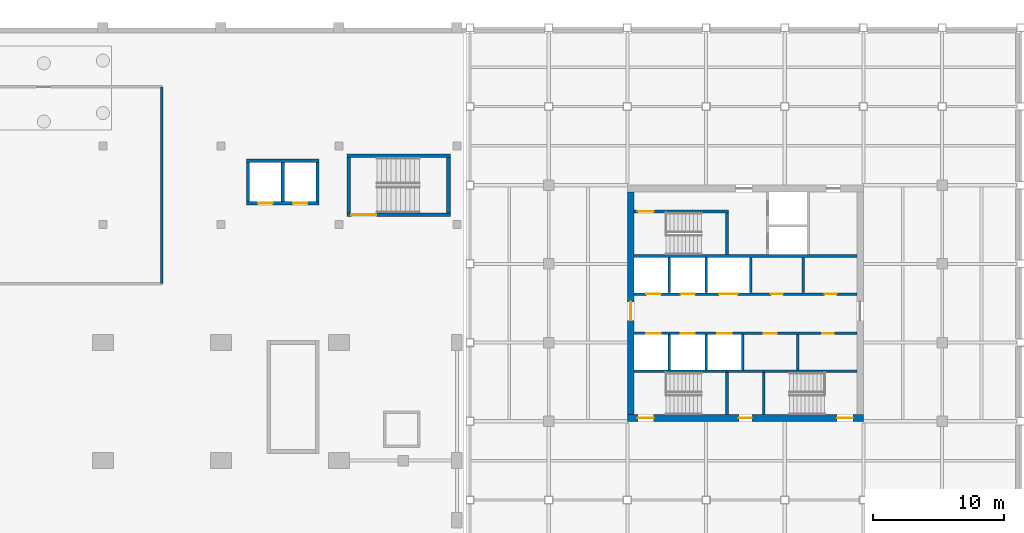
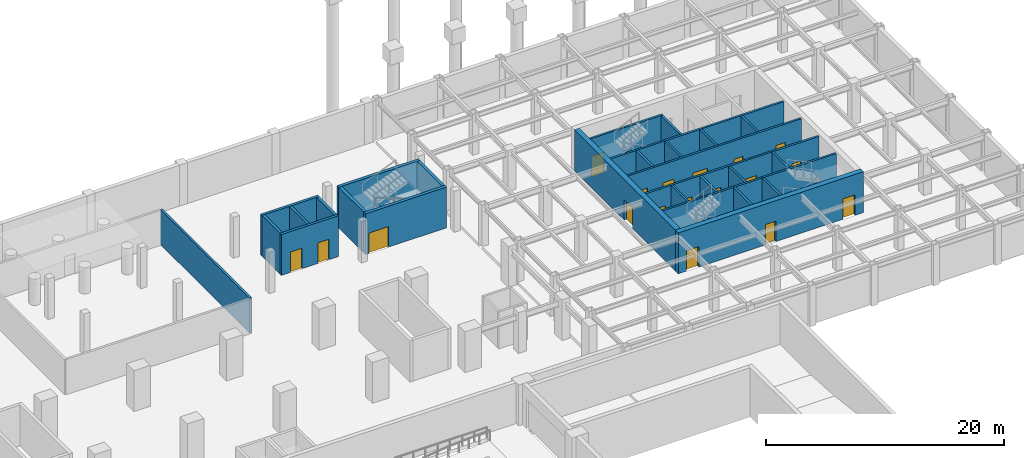
# One storey, part 16 of 27: 30 walls, 18 doors, 18 openings.
"""IFC4 building model written with IfcOpenShell, lengths in metres."""

from ifc_helpers import new_model, si_unit, direction, frame, frame_2d, origin, place, context, subcontext, project, spatial, rectangle, extrude, material, layer, layer_set, type_object, element, fill, save


model = new_model("IFC4")

# Units and contexts
model_context = context("Model", 3, precision=1e-05, world=origin(), true_north=direction((0.0, 1.0)))
body_context = subcontext(model_context, "Body", "Model", "MODEL_VIEW")
ifc_project = project(units=[si_unit("LENGTHUNIT", "METRE"), si_unit("AREAUNIT", "SQUARE_METRE"), si_unit("VOLUMEUNIT", "CUBIC_METRE"), si_unit("PLANEANGLEUNIT", "RADIAN"), si_unit("MASSUNIT", "GRAM", prefix="KILO")], contexts=[model_context])

# Site, building, storey
site_placement = place(None, origin())
site = spatial("IfcSite", under=ifc_project, at=site_placement, CompositionType="ELEMENT")
building_placement = place(site_placement, origin())
building = spatial("IfcBuilding", under=site, at=building_placement, Name="Aravalli Gate Trade Fair Centre", CompositionType="ELEMENT")
storey_placement = place(building_placement, frame((0.0, 0.0, -4.199951171875)))
storey = spatial("IfcBuildingStorey", under=building, at=storey_placement, Name="B1", CompositionType="ELEMENT", Elevation=-4.199951171875)

# Wall
ifc_material_1 = material(Name="Concrete M30", Category="concrete")
ifc_layer_1 = layer(ifc_material_1, 0.199951171875)
ifc_layer_set_1 = layer_set([ifc_layer_1], Name="Concrete M30")
wall_type_1 = type_object("IfcWallType", Name="Basement plant room wall 200", PredefinedType="SOLIDWALL", material=ifc_layer_set_1)
wall_1_placement = place(storey_placement, frame((136.5, 113.5, 0.0), z_axis=(0.0, 0.0, 1.0), x_axis=(0.0, 1.0, 0.0)))
element("IfcWall", 1, at=wall_1_placement, inside=storey, type_object=wall_type_1, Name="Basement plant room wall B1 14.1", PredefinedType="SOLIDWALL", context=body_context, shape_type="SweptSolid", body=[
    extrude(rectangle(XDim=15.0, YDim=0.199951171875, at=frame_2d((7.5, 0.0))), origin(), (0.0, 0.0, 1.0), 3.599853515625),
])

# Wall, openings, doors
ifc_material_2 = material(Name="Concrete M40", Category="concrete")
ifc_layer_2 = layer(ifc_material_2, 0.25)
ifc_layer_set_2 = layer_set([ifc_layer_2], Name="Concrete M40")
wall_type_2 = type_object("IfcWallType", Name="RC core wall 250", PredefinedType="SHEAR", material=ifc_layer_set_2)
wall_2_placement = place(storey_placement, frame((142.949951171875, 119.625, 0.0), z_axis=(0.0, 0.0, 1.0), x_axis=(1.0, 0.0, 0.0)))
wall_2 = element("IfcWall", 2, at=wall_2_placement, inside=storey, type_object=wall_type_2, Name="Core wall ELS B1", PredefinedType="SHEAR", context=body_context, shape_type="SweptSolid", body=[
    extrude(rectangle(XDim=5.550048828125, YDim=0.25, at=frame_2d((2.77490234375, 0.0))), origin(), (0.0, 0.0, 1.0), 4.199951171875),
])
opening_1_placement = place(wall_2_placement, frame((0.89990234375, 0.0, 0.0)))
opening_1 = element("IfcOpeningElement", 3, at=opening_1_placement, cuts=wall_2, Name="Opening C-B1-05", PredefinedType="OPENING", context=body_context, shape_type="SweptSolid", body=[
    extrude(rectangle(XDim=1.10009765625, YDim=2.10009765625, at=frame_2d((0.550048828125, 1.050048828125))), frame((0.0, 0.135009765625, 0.0), z_axis=(0.0, -1.0, 0.0), x_axis=(1.0, 0.0, 0.0)), (0.0, 0.0, 1.0), 0.27001953125),
])
opening_2_placement = place(wall_2_placement, frame((3.550048828125, 0.0, 0.0)))
opening_2 = element("IfcOpeningElement", 4, at=opening_2_placement, cuts=wall_2, Name="Opening C-B1-06", PredefinedType="OPENING", context=body_context, shape_type="SweptSolid", body=[
    extrude(rectangle(XDim=1.10009765625, YDim=2.10009765625, at=frame_2d((0.550048828125, 1.050048828125))), frame((0.0, 0.135009765625, 0.0), z_axis=(0.0, -1.0, 0.0), x_axis=(1.0, 0.0, 0.0)), (0.0, 0.0, 1.0), 0.27001953125),
])
ifc_material_3 = material(Name="Steel, fire rated", Category="steel")
door_type_1 = type_object("IfcDoorType", Name="Concourse lift landing door 1100 x 2100", OperationType="DOUBLE_DOOR_SLIDING", PredefinedType="NOTDEFINED", material=ifc_material_3)
door_1_placement = place(opening_1_placement, origin())
door_1 = element("IfcDoor", 5, at=door_1_placement, inside=storey, type_object=door_type_1, Name="Lift landing door EL1 B1", OperationType="DOUBLE_DOOR_SLIDING", OverallHeight=2.10009765625, OverallWidth=1.10009765625, PredefinedType="NOTDEFINED", context=body_context, shape_type="SweptSolid", body=[
    extrude(rectangle(XDim=1.10009765625, YDim=2.10009765625, at=frame_2d((0.550048828125, 1.050048828125))), frame((0.0, 0.02490234375, 0.0), z_axis=(0.0, -1.0, 0.0), x_axis=(1.0, 0.0, 0.0)), (0.0, 0.0, 1.0), 0.050048828125),
])
fill(opening_1, door_1)
door_2_placement = place(opening_2_placement, origin())
door_2 = element("IfcDoor", 6, at=door_2_placement, inside=storey, type_object=door_type_1, Name="Lift landing door EL2 B1", OperationType="DOUBLE_DOOR_SLIDING", OverallHeight=2.10009765625, OverallWidth=1.10009765625, PredefinedType="NOTDEFINED", context=body_context, shape_type="SweptSolid", body=[
    extrude(rectangle(XDim=1.10009765625, YDim=2.10009765625, at=frame_2d((0.550048828125, 1.050048828125))), frame((0.0, 0.02490234375, 0.0), z_axis=(0.0, -1.0, 0.0), x_axis=(1.0, 0.0, 0.0)), (0.0, 0.0, 1.0), 0.050048828125),
])
fill(opening_2, door_2)

# Walls
wall_3_placement = place(storey_placement, frame((142.949951171875, 122.875, 0.0), z_axis=(0.0, 0.0, 1.0), x_axis=(1.0, 0.0, 0.0)))
element("IfcWall", 7, at=wall_3_placement, inside=storey, type_object=wall_type_2, Name="Core wall ELN B1", PredefinedType="SHEAR", context=body_context, shape_type="SweptSolid", body=[
    extrude(rectangle(XDim=5.550048828125, YDim=0.25, at=frame_2d((2.77490234375, 0.0))), origin(), (0.0, 0.0, 1.0), 4.199951171875),
])
for number, where, z_axis, x_axis, name in (
    (8, (143.074951171875, 119.75, 0.0), (0.0, 0.0, 1.0), (0.0, 1.0, 0.0), "Core wall ELW B1"),
    (9, (148.375, 119.75, 0.0), (0.0, 0.0, 1.0), (0.0, 1.0, 0.0), "Core wall ELE B1"),
    (10, (145.72509765625, 119.75, 0.0), (0.0, 0.0, 1.0), (0.0, 1.0, 0.0), "Core wall ELM B1"),
):
    element("IfcWall", number, at=place(storey_placement, frame(where, z_axis=z_axis, x_axis=x_axis)), inside=storey, type_object=wall_type_2, Name=name, PredefinedType="SHEAR", context=body_context, shape_type="SweptSolid", body=[
        extrude(rectangle(XDim=3.0, YDim=0.25, at=frame_2d((1.5, 0.0))), origin(), (0.0, 0.0, 1.0), 4.199951171875),
    ])

# Wall, opening, door
ifc_layer_3 = layer(ifc_material_2, 0.300048828125)
ifc_layer_set_3 = layer_set([ifc_layer_3], Name="Concrete M40")
wall_type_3 = type_object("IfcWallType", Name="RC core wall 300", PredefinedType="SHEAR", material=ifc_layer_set_3)
wall_4_placement = place(storey_placement, frame((150.60009765625, 118.75, 0.0), z_axis=(0.0, 0.0, 1.0), x_axis=(1.0, 0.0, 0.0)))
wall_4 = element("IfcWall", 11, at=wall_4_placement, inside=storey, type_object=wall_type_3, Name="Core wall ESS B1", PredefinedType="SHEAR", context=body_context, shape_type="SweptSolid", body=[
    extrude(rectangle(XDim=7.89990234375, YDim=0.300048828125, at=frame_2d((3.949951171875, 0.0))), origin(), (0.0, 0.0, 1.0), 4.199951171875),
])
opening_3_placement = place(wall_4_placement, frame((0.35009765625, 0.0, 0.0)))
opening_3 = element("IfcOpeningElement", 12, at=opening_3_placement, cuts=wall_4, Name="Opening C-B1-04", PredefinedType="OPENING", context=body_context, shape_type="SweptSolid", body=[
    extrude(rectangle(XDim=1.89990234375, YDim=2.10009765625, at=frame_2d((0.949951171875, 1.050048828125))), frame((0.0, 0.159912109375, 0.0), z_axis=(0.0, -1.0, 0.0), x_axis=(1.0, 0.0, 0.0)), (0.0, 0.0, 1.0), 0.320068359375),
])
door_type_2 = type_object("IfcDoorType", Name="Concourse stair door 1900 x 2100", OperationType="DOUBLE_DOOR_SINGLE_SWING", PredefinedType="NOTDEFINED", material=ifc_material_3)
door_3_placement = place(opening_3_placement, origin())
door_3 = element("IfcDoor", 13, at=door_3_placement, inside=storey, type_object=door_type_2, Name="Stair door ES B1", OperationType="DOUBLE_DOOR_SINGLE_SWING", OverallHeight=2.10009765625, OverallWidth=1.89990234375, PredefinedType="NOTDEFINED", context=body_context, shape_type="SweptSolid", body=[
    extrude(rectangle(XDim=1.89990234375, YDim=2.10009765625, at=frame_2d((0.949951171875, 1.050048828125))), frame((0.0, 0.02490234375, 0.0), z_axis=(0.0, -1.0, 0.0), x_axis=(1.0, 0.0, 0.0)), (0.0, 0.0, 1.0), 0.050048828125),
])
fill(opening_3, door_3)

# Walls
wall_5_placement = place(storey_placement, frame((150.60009765625, 123.25, 0.0), z_axis=(0.0, 0.0, 1.0), x_axis=(1.0, 0.0, 0.0)))
element("IfcWall", 14, at=wall_5_placement, inside=storey, type_object=wall_type_3, Name="Core wall ESN B1", PredefinedType="SHEAR", context=body_context, shape_type="SweptSolid", body=[
    extrude(rectangle(XDim=7.89990234375, YDim=0.300048828125, at=frame_2d((3.949951171875, 0.0))), origin(), (0.0, 0.0, 1.0), 4.199951171875),
])
for number, where, z_axis, x_axis, name in (
    (15, (150.75, 118.89990234375, 0.0), (0.0, 0.0, 1.0), (0.0, 1.0, 0.0), "Core wall ESW B1"),
    (16, (158.35009765625, 118.89990234375, 0.0), (0.0, 0.0, 1.0), (0.0, 1.0, 0.0), "Core wall ESE B1"),
):
    element("IfcWall", number, at=place(storey_placement, frame(where, z_axis=z_axis, x_axis=x_axis)), inside=storey, type_object=wall_type_3, Name=name, PredefinedType="SHEAR", context=body_context, shape_type="SweptSolid", body=[
        extrude(rectangle(XDim=4.2001953125, YDim=0.300048828125, at=frame_2d((2.10009765625, 0.0))), origin(), (0.0, 0.0, 1.0), 4.199951171875),
    ])
ifc_layer_4 = layer(ifc_material_1, 0.199951171875)
ifc_layer_set_4 = layer_set([ifc_layer_4], Name="Concrete M30")
wall_type_4 = type_object("IfcWallType", Name="Wing core internal wall 200 (EI 120, core wall)", PredefinedType="SOLIDWALL", material=ifc_layer_set_4)
wall_6_placement = place(storey_placement, frame((172.5, 115.60009765625, 0.0), z_axis=(0.0, 0.0, 1.0), x_axis=(1.0, 0.0, 0.0)))
element("IfcWall", 17, at=wall_6_placement, inside=storey, type_object=wall_type_4, Name="Core wall N-REAR B1", PredefinedType="SOLIDWALL", context=body_context, shape_type="SweptSolid", body=[
    extrude(rectangle(XDim=17.0, YDim=0.199951171875, at=frame_2d((8.5, 0.0))), origin(), (0.0, 0.0, 1.0), 4.0),
])
ifc_layer_5 = layer(ifc_material_1, 0.199951171875)
ifc_layer_set_5 = layer_set([ifc_layer_5], Name="Concrete M30")
wall_type_5 = type_object("IfcWallType", Name="Wing core internal wall 200 (EI 120, firefighting shaft)", PredefinedType="SOLIDWALL", material=ifc_layer_set_5)
wall_7_placement = place(storey_placement, frame((179.60009765625, 115.699951171875, 0.0), z_axis=(0.0, 0.0, 1.0), x_axis=(0.0, 1.0, 0.0)))
element("IfcWall", 18, at=wall_7_placement, inside=storey, type_object=wall_type_5, Name="Core wall FF-AB B1", PredefinedType="SOLIDWALL", context=body_context, shape_type="SweptSolid", body=[
    extrude(rectangle(XDim=3.199951171875, YDim=0.199951171875, at=frame_2d((1.60009765625, 0.0))), origin(), (0.0, 0.0, 1.0), 4.0),
])

# Wall, opening, door
wall_8_placement = place(storey_placement, frame((172.5, 119.0, 0.0), z_axis=(0.0, 0.0, 1.0), x_axis=(1.0, 0.0, 0.0)))
wall_8 = element("IfcWall", 19, at=wall_8_placement, inside=storey, type_object=wall_type_5, Name="Core wall FF-N B1", PredefinedType="SOLIDWALL", context=body_context, shape_type="SweptSolid", body=[
    extrude(rectangle(XDim=7.199951171875, YDim=0.199951171875, at=frame_2d((3.60009765625, 0.0))), origin(), (0.0, 0.0, 1.0), 4.0),
])
opening_4_placement = place(wall_8_placement, frame((0.300048828125, 0.0, 0.0)))
opening_4 = element("IfcOpeningElement", 20, at=opening_4_placement, cuts=wall_8, Name="Opening T-B1-131", PredefinedType="OPENING", context=body_context, shape_type="SweptSolid", body=[
    extrude(rectangle(XDim=1.199951171875, YDim=2.10009765625, at=frame_2d((0.60009765625, 1.050048828125))), frame((0.0, 0.10986328125, 0.0), z_axis=(0.0, -1.0, 0.0), x_axis=(1.0, 0.0, 0.0)), (0.0, 0.0, 1.0), 0.219970703125),
])
door_type_3 = type_object("IfcDoorType", Name="Wing fire door FD120 1200 x 2100", OperationType="SINGLE_SWING_LEFT", PredefinedType="DOOR", material=ifc_material_3)
door_4_placement = place(opening_4_placement, frame((1.199951171875, 0.0, 0.0), z_axis=(0.0, 0.0, 1.0), x_axis=(-1.0, 0.0, 0.0)))
door_4 = element("IfcDoor", 21, at=door_4_placement, inside=storey, type_object=door_type_3, Name="Core door T-B1-131", OperationType="SINGLE_SWING_RIGHT", OverallHeight=2.10009765625, OverallWidth=1.199951171875, PredefinedType="DOOR", context=body_context, shape_type="SweptSolid", body=[
    extrude(rectangle(XDim=1.199951171875, YDim=2.10009765625, at=frame_2d((0.60009765625, 1.050048828125))), frame((0.0, 0.02490234375, 0.0), z_axis=(0.0, -1.0, 0.0), x_axis=(1.0, 0.0, 0.0)), (0.0, 0.0, 1.0), 0.050048828125),
])
fill(opening_4, door_4)

# Walls
ifc_layer_6 = layer(ifc_material_1, 0.199951171875)
ifc_layer_set_6 = layer_set([ifc_layer_6], Name="Concrete M30")
wall_type_6 = type_object("IfcWallType", Name="Wing core internal wall 200 (EI 120, lift shaft)", PredefinedType="SOLIDWALL", material=ifc_layer_set_6)
wall_9_placement = place(storey_placement, frame((172.5, 106.800048828125, 0.0), z_axis=(0.0, 0.0, 1.0), x_axis=(1.0, 0.0, 0.0)))
element("IfcWall", 22, at=wall_9_placement, inside=storey, type_object=wall_type_6, Name="Core wall S-REAR-W B1", PredefinedType="SOLIDWALL", context=body_context, shape_type="SweptSolid", body=[
    extrude(rectangle(XDim=7.10009765625, YDim=0.199951171875, at=frame_2d((3.550048828125, 0.0))), origin(), (0.0, 0.0, 1.0), 4.0),
])
wall_10_placement = place(storey_placement, frame((179.60009765625, 106.800048828125, 0.0), z_axis=(0.0, 0.0, 1.0), x_axis=(1.0, 0.0, 0.0)))
element("IfcWall", 23, at=wall_10_placement, inside=storey, type_object=wall_type_6, Name="Core wall S-REAR-M B1", PredefinedType="SOLIDWALL", context=body_context, shape_type="SweptSolid", body=[
    extrude(rectangle(XDim=2.7998046875, YDim=0.199951171875, at=frame_2d((1.39990234375, 0.0))), origin(), (0.0, 0.0, 1.0), 4.0),
])
wall_11_placement = place(storey_placement, frame((182.39990234375, 106.800048828125, 0.0), z_axis=(0.0, 0.0, 1.0), x_axis=(1.0, 0.0, 0.0)))
element("IfcWall", 24, at=wall_11_placement, inside=storey, type_object=wall_type_6, Name="Core wall S-REAR-E B1", PredefinedType="SOLIDWALL", context=body_context, shape_type="SweptSolid", body=[
    extrude(rectangle(XDim=7.10009765625, YDim=0.199951171875, at=frame_2d((3.550048828125, 0.0))), origin(), (0.0, 0.0, 1.0), 4.0),
])
for number, where, z_axis, x_axis, name in (
    (25, (175.199951171875, 106.89990234375, 0.0), (0.0, 0.0, 1.0), (0.0, 1.0, 0.0), "Core wall SB-3.2 B1"),
    (26, (178.0, 106.89990234375, 0.0), (0.0, 0.0, 1.0), (0.0, 1.0, 0.0), "Core wall SB-6.0 B1"),
    (27, (180.800048828125, 106.89990234375, 0.0), (0.0, 0.0, 1.0), (0.0, 1.0, 0.0), "Core wall SB-8.8 B1"),
):
    element("IfcWall", number, at=place(storey_placement, frame(where, z_axis=z_axis, x_axis=x_axis)), inside=storey, type_object=wall_type_6, Name=name, PredefinedType="SOLIDWALL", context=body_context, shape_type="SweptSolid", body=[
        extrude(rectangle(XDim=2.7001953125, YDim=0.199951171875, at=frame_2d((1.35009765625, 0.0))), origin(), (0.0, 0.0, 1.0), 4.0),
    ])

# Wall, openings, doors
wall_12_placement = place(storey_placement, frame((172.5, 109.699951171875, 0.0), z_axis=(0.0, 0.0, 1.0), x_axis=(1.0, 0.0, 0.0)))
wall_12 = element("IfcWall", 28, at=wall_12_placement, inside=storey, type_object=wall_type_6, Name="Core wall S-FRONT B1", PredefinedType="SOLIDWALL", context=body_context, shape_type="SweptSolid", body=[
    extrude(rectangle(XDim=17.0, YDim=0.199951171875, at=frame_2d((8.5, 0.0))), origin(), (0.0, 0.0, 1.0), 4.0),
])
opening_5_placement = place(wall_12_placement, frame((0.949951171875, 0.0, 0.0)))
opening_5 = element("IfcOpeningElement", 29, at=opening_5_placement, cuts=wall_12, Name="Opening T-B1-111", PredefinedType="OPENING", context=body_context, shape_type="SweptSolid", body=[
    extrude(rectangle(XDim=1.10009765625, YDim=2.10009765625, at=frame_2d((0.550048828125, 1.050048828125))), frame((0.0, 0.10986328125, 0.0), z_axis=(0.0, -1.0, 0.0), x_axis=(1.0, 0.0, 0.0)), (0.0, 0.0, 1.0), 0.219970703125),
])
opening_6_placement = place(wall_12_placement, frame((3.550048828125, 0.0, 0.0)))
opening_6 = element("IfcOpeningElement", 30, at=opening_6_placement, cuts=wall_12, Name="Opening T-B1-112", PredefinedType="OPENING", context=body_context, shape_type="SweptSolid", body=[
    extrude(rectangle(XDim=1.10009765625, YDim=2.10009765625, at=frame_2d((0.550048828125, 1.050048828125))), frame((0.0, 0.10986328125, 0.0), z_axis=(0.0, -1.0, 0.0), x_axis=(1.0, 0.0, 0.0)), (0.0, 0.0, 1.0), 0.219970703125),
])
opening_7_placement = place(wall_12_placement, frame((6.35009765625, 0.0, 0.0)))
opening_7 = element("IfcOpeningElement", 31, at=opening_7_placement, cuts=wall_12, Name="Opening T-B1-113", PredefinedType="OPENING", context=body_context, shape_type="SweptSolid", body=[
    extrude(rectangle(XDim=1.10009765625, YDim=2.10009765625, at=frame_2d((0.550048828125, 1.050048828125))), frame((0.0, 0.10986328125, 0.0), z_axis=(0.0, -1.0, 0.0), x_axis=(1.0, 0.0, 0.0)), (0.0, 0.0, 1.0), 0.219970703125),
])
opening_8_placement = place(wall_12_placement, frame((9.89990234375, 0.0, 0.0)))
opening_8 = element("IfcOpeningElement", 32, at=opening_8_placement, cuts=wall_12, Name="Opening T-B1-114", PredefinedType="OPENING", context=body_context, shape_type="SweptSolid", body=[
    extrude(rectangle(XDim=1.0, YDim=2.10009765625, at=frame_2d((0.5, 1.050048828125))), frame((0.0, 0.10986328125, 0.0), z_axis=(0.0, -1.0, 0.0), x_axis=(1.0, 0.0, 0.0)), (0.0, 0.0, 1.0), 0.219970703125),
])
opening_9_placement = place(wall_12_placement, frame((14.35009765625, 0.0, 0.0)))
opening_9 = element("IfcOpeningElement", 33, at=opening_9_placement, cuts=wall_12, Name="Opening T-B1-115", PredefinedType="OPENING", context=body_context, shape_type="SweptSolid", body=[
    extrude(rectangle(XDim=0.89990234375, YDim=2.10009765625, at=frame_2d((0.449951171875, 1.050048828125))), frame((0.0, 0.10986328125, 0.0), z_axis=(0.0, -1.0, 0.0), x_axis=(1.0, 0.0, 0.0)), (0.0, 0.0, 1.0), 0.219970703125),
])
door_type_4 = type_object("IfcDoorType", Name="Wing fire door FD120 1000 x 2100", OperationType="SINGLE_SWING_LEFT", PredefinedType="DOOR", material=ifc_material_3)
door_5_placement = place(opening_8_placement, frame((1.0, 0.0, 0.0), z_axis=(0.0, 0.0, 1.0), x_axis=(-1.0, 0.0, 0.0)))
door_5 = element("IfcDoor", 34, at=door_5_placement, inside=storey, type_object=door_type_4, Name="Core door T-B1-114", OperationType="SINGLE_SWING_RIGHT", OverallHeight=2.10009765625, OverallWidth=1.0, PredefinedType="DOOR", context=body_context, shape_type="SweptSolid", body=[
    extrude(rectangle(XDim=1.0, YDim=2.10009765625, at=frame_2d((0.5, 1.050048828125))), frame((0.0, 0.02490234375, 0.0), z_axis=(0.0, -1.0, 0.0), x_axis=(1.0, 0.0, 0.0)), (0.0, 0.0, 1.0), 0.050048828125),
])
fill(opening_8, door_5)
door_type_5 = type_object("IfcDoorType", Name="Wing fire door FD120 900 x 2100", OperationType="SINGLE_SWING_LEFT", PredefinedType="DOOR", material=ifc_material_3)
door_6_placement = place(opening_9_placement, frame((0.89990234375, 0.0, 0.0), z_axis=(0.0, 0.0, 1.0), x_axis=(-1.0, 0.0, 0.0)))
door_6 = element("IfcDoor", 35, at=door_6_placement, inside=storey, type_object=door_type_5, Name="Core door T-B1-115", OperationType="SINGLE_SWING_LEFT", OverallHeight=2.10009765625, OverallWidth=0.89990234375, PredefinedType="DOOR", context=body_context, shape_type="SweptSolid", body=[
    extrude(rectangle(XDim=0.89990234375, YDim=2.10009765625, at=frame_2d((0.449951171875, 1.050048828125))), frame((0.0, 0.02490234375, 0.0), z_axis=(0.0, -1.0, 0.0), x_axis=(1.0, 0.0, 0.0)), (0.0, 0.0, 1.0), 0.050048828125),
])
fill(opening_9, door_6)
ifc_material_4 = material(Name="Elevator door panels")
door_type_6 = type_object("IfcDoorType", Name="Wing lift landing door 1100 x 2100", OperationType="SLIDING_TO_LEFT", PredefinedType="DOOR", material=ifc_material_4)
door_7_placement = place(opening_5_placement, origin())
door_7 = element("IfcDoor", 36, at=door_7_placement, inside=storey, type_object=door_type_6, Name="Landing door T-B1-111", OperationType="SLIDING_TO_LEFT", OverallHeight=2.10009765625, OverallWidth=1.10009765625, PredefinedType="DOOR", context=body_context, shape_type="SweptSolid", body=[
    extrude(rectangle(XDim=1.10009765625, YDim=2.10009765625, at=frame_2d((0.550048828125, 1.050048828125))), frame((0.0, 0.02490234375, 0.0), z_axis=(0.0, -1.0, 0.0), x_axis=(1.0, 0.0, 0.0)), (0.0, 0.0, 1.0), 0.050048828125),
])
fill(opening_5, door_7)
door_8_placement = place(opening_6_placement, origin())
door_8 = element("IfcDoor", 37, at=door_8_placement, inside=storey, type_object=door_type_6, Name="Landing door T-B1-112", OperationType="SLIDING_TO_LEFT", OverallHeight=2.10009765625, OverallWidth=1.10009765625, PredefinedType="DOOR", context=body_context, shape_type="SweptSolid", body=[
    extrude(rectangle(XDim=1.10009765625, YDim=2.10009765625, at=frame_2d((0.550048828125, 1.050048828125))), frame((0.0, 0.02490234375, 0.0), z_axis=(0.0, -1.0, 0.0), x_axis=(1.0, 0.0, 0.0)), (0.0, 0.0, 1.0), 0.050048828125),
])
fill(opening_6, door_8)
door_9_placement = place(opening_7_placement, origin())
door_9 = element("IfcDoor", 38, at=door_9_placement, inside=storey, type_object=door_type_6, Name="Landing door T-B1-113", OperationType="SLIDING_TO_LEFT", OverallHeight=2.10009765625, OverallWidth=1.10009765625, PredefinedType="DOOR", context=body_context, shape_type="SweptSolid", body=[
    extrude(rectangle(XDim=1.10009765625, YDim=2.10009765625, at=frame_2d((0.550048828125, 1.050048828125))), frame((0.0, 0.02490234375, 0.0), z_axis=(0.0, -1.0, 0.0), x_axis=(1.0, 0.0, 0.0)), (0.0, 0.0, 1.0), 0.050048828125),
])
fill(opening_7, door_9)

# Walls
for number, where, z_axis, x_axis, name in (
    (39, (175.199951171875, 112.800048828125, 0.0), (0.0, 0.0, 1.0), (0.0, 1.0, 0.0), "Core wall NB-3.2 B1"),
    (40, (178.0, 112.800048828125, 0.0), (0.0, 0.0, 1.0), (0.0, 1.0, 0.0), "Core wall NB-6.0 B1"),
    (41, (181.39990234375, 112.800048828125, 0.0), (0.0, 0.0, 1.0), (0.0, 1.0, 0.0), "Core wall NB-9 B1"),
):
    element("IfcWall", number, at=place(storey_placement, frame(where, z_axis=z_axis, x_axis=x_axis)), inside=storey, type_object=wall_type_6, Name=name, PredefinedType="SOLIDWALL", context=body_context, shape_type="SweptSolid", body=[
        extrude(rectangle(XDim=2.699951171875, YDim=0.199951171875, at=frame_2d((1.35009765625, 0.0))), origin(), (0.0, 0.0, 1.0), 4.0),
    ])

# Wall, openings, doors
wall_13_placement = place(storey_placement, frame((172.5, 112.699951171875, 0.0), z_axis=(0.0, 0.0, 1.0), x_axis=(1.0, 0.0, 0.0)))
wall_13 = element("IfcWall", 42, at=wall_13_placement, inside=storey, type_object=wall_type_6, Name="Core wall N-FRONT B1", PredefinedType="SOLIDWALL", context=body_context, shape_type="SweptSolid", body=[
    extrude(rectangle(XDim=17.0, YDim=0.199951171875, at=frame_2d((8.5, 0.0))), origin(), (0.0, 0.0, 1.0), 4.0),
])
opening_10_placement = place(wall_13_placement, frame((0.949951171875, 0.0, 0.0)))
opening_10 = element("IfcOpeningElement", 43, at=opening_10_placement, cuts=wall_13, Name="Opening T-B1-121", PredefinedType="OPENING", context=body_context, shape_type="SweptSolid", body=[
    extrude(rectangle(XDim=1.10009765625, YDim=2.10009765625, at=frame_2d((0.550048828125, 1.050048828125))), frame((0.0, 0.10986328125, 0.0), z_axis=(0.0, -1.0, 0.0), x_axis=(1.0, 0.0, 0.0)), (0.0, 0.0, 1.0), 0.219970703125),
])
opening_11_placement = place(wall_13_placement, frame((3.550048828125, 0.0, 0.0)))
opening_11 = element("IfcOpeningElement", 44, at=opening_11_placement, cuts=wall_13, Name="Opening T-B1-122", PredefinedType="OPENING", context=body_context, shape_type="SweptSolid", body=[
    extrude(rectangle(XDim=1.10009765625, YDim=2.10009765625, at=frame_2d((0.550048828125, 1.050048828125))), frame((0.0, 0.10986328125, 0.0), z_axis=(0.0, -1.0, 0.0), x_axis=(1.0, 0.0, 0.0)), (0.0, 0.0, 1.0), 0.219970703125),
])
opening_12_placement = place(wall_13_placement, frame((6.5, 0.0, 0.0)))
opening_12 = element("IfcOpeningElement", 45, at=opening_12_placement, cuts=wall_13, Name="Opening T-B1-123", PredefinedType="OPENING", context=body_context, shape_type="SweptSolid", body=[
    extrude(rectangle(XDim=1.39990234375, YDim=2.10009765625, at=frame_2d((0.699951171875, 1.050048828125))), frame((0.0, 0.10986328125, 0.0), z_axis=(0.0, -1.0, 0.0), x_axis=(1.0, 0.0, 0.0)), (0.0, 0.0, 1.0), 0.219970703125),
])
opening_13_placement = place(wall_13_placement, frame((10.449951171875, 0.0, 0.0)))
opening_13 = element("IfcOpeningElement", 46, at=opening_13_placement, cuts=wall_13, Name="Opening T-B1-124", PredefinedType="OPENING", context=body_context, shape_type="SweptSolid", body=[
    extrude(rectangle(XDim=0.89990234375, YDim=2.10009765625, at=frame_2d((0.449951171875, 1.050048828125))), frame((0.0, 0.10986328125, 0.0), z_axis=(0.0, -1.0, 0.0), x_axis=(1.0, 0.0, 0.0)), (0.0, 0.0, 1.0), 0.219970703125),
])
opening_14_placement = place(wall_13_placement, frame((14.550048828125, 0.0, 0.0)))
opening_14 = element("IfcOpeningElement", 47, at=opening_14_placement, cuts=wall_13, Name="Opening T-B1-125", PredefinedType="OPENING", context=body_context, shape_type="SweptSolid", body=[
    extrude(rectangle(XDim=0.89990234375, YDim=2.10009765625, at=frame_2d((0.449951171875, 1.050048828125))), frame((0.0, 0.10986328125, 0.0), z_axis=(0.0, -1.0, 0.0), x_axis=(1.0, 0.0, 0.0)), (0.0, 0.0, 1.0), 0.219970703125),
])
door_10_placement = place(opening_13_placement, origin())
door_10 = element("IfcDoor", 48, at=door_10_placement, inside=storey, type_object=door_type_5, Name="Core door T-B1-124", OperationType="SINGLE_SWING_LEFT", OverallHeight=2.10009765625, OverallWidth=0.89990234375, PredefinedType="DOOR", context=body_context, shape_type="SweptSolid", body=[
    extrude(rectangle(XDim=0.89990234375, YDim=2.10009765625, at=frame_2d((0.449951171875, 1.050048828125))), frame((0.0, 0.02490234375, 0.0), z_axis=(0.0, -1.0, 0.0), x_axis=(1.0, 0.0, 0.0)), (0.0, 0.0, 1.0), 0.050048828125),
])
fill(opening_13, door_10)
door_11_placement = place(opening_14_placement, origin())
door_11 = element("IfcDoor", 49, at=door_11_placement, inside=storey, type_object=door_type_5, Name="Core door T-B1-125", OperationType="SINGLE_SWING_RIGHT", OverallHeight=2.10009765625, OverallWidth=0.89990234375, PredefinedType="DOOR", context=body_context, shape_type="SweptSolid", body=[
    extrude(rectangle(XDim=0.89990234375, YDim=2.10009765625, at=frame_2d((0.449951171875, 1.050048828125))), frame((0.0, 0.02490234375, 0.0), z_axis=(0.0, -1.0, 0.0), x_axis=(1.0, 0.0, 0.0)), (0.0, 0.0, 1.0), 0.050048828125),
])
fill(opening_14, door_11)
door_12_placement = place(opening_10_placement, origin())
door_12 = element("IfcDoor", 50, at=door_12_placement, inside=storey, type_object=door_type_6, Name="Landing door T-B1-121", OperationType="SLIDING_TO_LEFT", OverallHeight=2.10009765625, OverallWidth=1.10009765625, PredefinedType="DOOR", context=body_context, shape_type="SweptSolid", body=[
    extrude(rectangle(XDim=1.10009765625, YDim=2.10009765625, at=frame_2d((0.550048828125, 1.050048828125))), frame((0.0, 0.02490234375, 0.0), z_axis=(0.0, -1.0, 0.0), x_axis=(1.0, 0.0, 0.0)), (0.0, 0.0, 1.0), 0.050048828125),
])
fill(opening_10, door_12)
door_13_placement = place(opening_11_placement, origin())
door_13 = element("IfcDoor", 51, at=door_13_placement, inside=storey, type_object=door_type_6, Name="Landing door T-B1-122", OperationType="SLIDING_TO_LEFT", OverallHeight=2.10009765625, OverallWidth=1.10009765625, PredefinedType="DOOR", context=body_context, shape_type="SweptSolid", body=[
    extrude(rectangle(XDim=1.10009765625, YDim=2.10009765625, at=frame_2d((0.550048828125, 1.050048828125))), frame((0.0, 0.02490234375, 0.0), z_axis=(0.0, -1.0, 0.0), x_axis=(1.0, 0.0, 0.0)), (0.0, 0.0, 1.0), 0.050048828125),
])
fill(opening_11, door_13)
door_type_7 = type_object("IfcDoorType", Name="Wing lift landing door 1400 x 2100", OperationType="SLIDING_TO_LEFT", PredefinedType="DOOR", material=ifc_material_4)
door_14_placement = place(opening_12_placement, origin())
door_14 = element("IfcDoor", 52, at=door_14_placement, inside=storey, type_object=door_type_7, Name="Landing door T-B1-123", OperationType="SLIDING_TO_LEFT", OverallHeight=2.10009765625, OverallWidth=1.39990234375, PredefinedType="DOOR", context=body_context, shape_type="SweptSolid", body=[
    extrude(rectangle(XDim=1.39990234375, YDim=2.10009765625, at=frame_2d((0.699951171875, 1.050048828125))), frame((0.0, 0.02490234375, 0.0), z_axis=(0.0, -1.0, 0.0), x_axis=(1.0, 0.0, 0.0)), (0.0, 0.0, 1.0), 0.050048828125),
])
fill(opening_12, door_14)

# Walls
ifc_material_5 = material(Name="Concrete block masonry", Category="masonry")
ifc_layer_7 = layer(ifc_material_5, 0.199951171875)
ifc_layer_set_7 = layer_set([ifc_layer_7], Name="Concrete block masonry")
wall_type_7 = type_object("IfcWallType", Name="Wing core internal wall 200 (EI 120, riser shaft)", PredefinedType="SOLIDWALL", material=ifc_layer_set_7)
wall_14_placement = place(storey_placement, frame((185.0, 106.89990234375, 0.0), z_axis=(0.0, 0.0, 1.0), x_axis=(0.0, 1.0, 0.0)))
element("IfcWall", 53, at=wall_14_placement, inside=storey, type_object=wall_type_7, Name="Core wall SB-13 B1", PredefinedType="SOLIDWALL", context=body_context, shape_type="SweptSolid", body=[
    extrude(rectangle(XDim=2.7001953125, YDim=0.199951171875, at=frame_2d((1.35009765625, 0.0))), origin(), (0.0, 0.0, 1.0), 4.0),
])
wall_15_placement = place(storey_placement, frame((185.39990234375, 112.800048828125, 0.0), z_axis=(0.0, 0.0, 1.0), x_axis=(0.0, 1.0, 0.0)))
element("IfcWall", 54, at=wall_15_placement, inside=storey, type_object=wall_type_7, Name="Core wall NB-13 B1", PredefinedType="SOLIDWALL", context=body_context, shape_type="SweptSolid", body=[
    extrude(rectangle(XDim=2.699951171875, YDim=0.199951171875, at=frame_2d((1.35009765625, 0.0))), origin(), (0.0, 0.0, 1.0), 4.0),
])
ifc_layer_8 = layer(ifc_material_1, 0.199951171875)
ifc_layer_set_8 = layer_set([ifc_layer_8], Name="Concrete M30")
wall_type_8 = type_object("IfcWallType", Name="Wing core internal wall 200 (EI 120, stair enclosure)", PredefinedType="SOLIDWALL", material=ifc_layer_set_8)
for number, where, z_axis, x_axis, name in (
    (55, (179.60009765625, 103.5, 0.0), (0.0, 0.0, 1.0), (0.0, 1.0, 0.0), "Core wall S-AB B1"),
    (56, (182.39990234375, 103.5, 0.0), (0.0, 0.0, 1.0), (0.0, 1.0, 0.0), "Core wall S-BC B1"),
):
    element("IfcWall", number, at=place(storey_placement, frame(where, z_axis=z_axis, x_axis=x_axis)), inside=storey, type_object=wall_type_8, Name=name, PredefinedType="SOLIDWALL", context=body_context, shape_type="SweptSolid", body=[
        extrude(rectangle(XDim=3.199951171875, YDim=0.199951171875, at=frame_2d((1.60009765625, 0.0))), origin(), (0.0, 0.0, 1.0), 4.0),
    ])

# Wall, openings, doors
ifc_material_6 = material(Name="Concrete M50", Category="concrete")
ifc_layer_9 = layer(ifc_material_6, 0.5)
ifc_layer_set_9 = layer_set([ifc_layer_9], Name="Concrete M50")
wall_type_9 = type_object("IfcWallType", Name="Wing core shear wall 500", PredefinedType="SHEAR", material=ifc_layer_set_9)
wall_16_placement = place(storey_placement, frame((172.0, 103.25, 0.0), z_axis=(0.0, 0.0, 1.0), x_axis=(1.0, 0.0, 0.0)))
wall_16 = element("IfcWall", 57, at=wall_16_placement, inside=storey, type_object=wall_type_9, Name="Core wall S B1", PredefinedType="SHEAR", context=body_context, shape_type="SweptSolid", body=[
    extrude(rectangle(XDim=18.0, YDim=0.5, at=frame_2d((9.0, 0.0))), origin(), (0.0, 0.0, 1.0), 4.199951171875),
])
opening_15_placement = place(wall_16_placement, frame((8.5, 0.0, 0.0)))
opening_15 = element("IfcOpeningElement", 58, at=opening_15_placement, cuts=wall_16, Name="Opening T-B1-102", PredefinedType="OPENING", context=body_context, shape_type="SweptSolid", body=[
    extrude(rectangle(XDim=1.0, YDim=2.10009765625, at=frame_2d((0.5, 1.050048828125))), frame((0.0, 0.260009765625, 0.0), z_axis=(0.0, -1.0, 0.0), x_axis=(1.0, 0.0, 0.0)), (0.0, 0.0, 1.0), 0.52001953125),
])
opening_16_placement = place(wall_16_placement, frame((0.800048828125, 0.0, 0.0)))
opening_16 = element("IfcOpeningElement", 59, at=opening_16_placement, cuts=wall_16, Name="Opening T-B1-101", PredefinedType="OPENING", context=body_context, shape_type="SweptSolid", body=[
    extrude(rectangle(XDim=1.199951171875, YDim=2.10009765625, at=frame_2d((0.60009765625, 1.050048828125))), frame((0.0, 0.260009765625, 0.0), z_axis=(0.0, -1.0, 0.0), x_axis=(1.0, 0.0, 0.0)), (0.0, 0.0, 1.0), 0.52001953125),
])
opening_17_placement = place(wall_16_placement, frame((16.0, 0.0, 0.0)))
opening_17 = element("IfcOpeningElement", 60, at=opening_17_placement, cuts=wall_16, Name="Opening T-B1-103", PredefinedType="OPENING", context=body_context, shape_type="SweptSolid", body=[
    extrude(rectangle(XDim=1.199951171875, YDim=2.10009765625, at=frame_2d((0.60009765625, 1.050048828125))), frame((0.0, 0.260009765625, 0.0), z_axis=(0.0, -1.0, 0.0), x_axis=(1.0, 0.0, 0.0)), (0.0, 0.0, 1.0), 0.52001953125),
])
door_15_placement = place(opening_15_placement, origin())
door_15 = element("IfcDoor", 61, at=door_15_placement, inside=storey, type_object=door_type_4, Name="Core door T-B1-102", OperationType="SINGLE_SWING_LEFT", OverallHeight=2.10009765625, OverallWidth=1.0, PredefinedType="DOOR", context=body_context, shape_type="SweptSolid", body=[
    extrude(rectangle(XDim=1.0, YDim=2.10009765625, at=frame_2d((0.5, 1.050048828125))), frame((0.0, 0.02490234375, 0.0), z_axis=(0.0, -1.0, 0.0), x_axis=(1.0, 0.0, 0.0)), (0.0, 0.0, 1.0), 0.050048828125),
])
fill(opening_15, door_15)
door_16_placement = place(opening_16_placement, origin())
door_16 = element("IfcDoor", 62, at=door_16_placement, inside=storey, type_object=door_type_3, Name="Core door T-B1-101", OperationType="SINGLE_SWING_LEFT", OverallHeight=2.10009765625, OverallWidth=1.199951171875, PredefinedType="DOOR", context=body_context, shape_type="SweptSolid", body=[
    extrude(rectangle(XDim=1.199951171875, YDim=2.10009765625, at=frame_2d((0.60009765625, 1.050048828125))), frame((0.0, 0.02490234375, 0.0), z_axis=(0.0, -1.0, 0.0), x_axis=(1.0, 0.0, 0.0)), (0.0, 0.0, 1.0), 0.050048828125),
])
fill(opening_16, door_16)
door_17_placement = place(opening_17_placement, origin())
door_17 = element("IfcDoor", 63, at=door_17_placement, inside=storey, type_object=door_type_3, Name="Core door T-B1-103", OperationType="SINGLE_SWING_RIGHT", OverallHeight=2.10009765625, OverallWidth=1.199951171875, PredefinedType="DOOR", context=body_context, shape_type="SweptSolid", body=[
    extrude(rectangle(XDim=1.199951171875, YDim=2.10009765625, at=frame_2d((0.60009765625, 1.050048828125))), frame((0.0, 0.02490234375, 0.0), z_axis=(0.0, -1.0, 0.0), x_axis=(1.0, 0.0, 0.0)), (0.0, 0.0, 1.0), 0.050048828125),
])
fill(opening_17, door_17)

# Wall, opening, door
wall_17_placement = place(storey_placement, frame((172.25, 103.5, 0.0), z_axis=(0.0, 0.0, 1.0), x_axis=(0.0, 1.0, 0.0)))
wall_17 = element("IfcWall", 64, at=wall_17_placement, inside=storey, type_object=wall_type_9, Name="Core wall W B1", PredefinedType="SHEAR", context=body_context, shape_type="SweptSolid", body=[
    extrude(rectangle(XDim=17.0, YDim=0.5, at=frame_2d((8.5, 0.0))), origin(), (0.0, 0.0, 1.0), 4.199951171875),
])
opening_18_placement = place(wall_17_placement, frame((7.199951171875, 0.0, 0.0)))
opening_18 = element("IfcOpeningElement", 65, at=opening_18_placement, cuts=wall_17, Name="Opening T-B1-106", PredefinedType="OPENING", context=body_context, shape_type="SweptSolid", body=[
    extrude(rectangle(XDim=1.39990234375, YDim=2.10009765625, at=frame_2d((0.699951171875, 1.050048828125))), frame((0.0, 0.260009765625, 0.0), z_axis=(0.0, -1.0, 0.0), x_axis=(1.0, 0.0, 0.0)), (0.0, 0.0, 1.0), 0.52001953125),
])
door_type_8 = type_object("IfcDoorType", Name="Wing fire door FD120 1400 x 2100", OperationType="DOUBLE_DOOR_SINGLE_SWING", PredefinedType="DOOR", material=ifc_material_3)
door_18_placement = place(opening_18_placement, origin())
door_18 = element("IfcDoor", 66, at=door_18_placement, inside=storey, type_object=door_type_8, Name="Core door T-B1-106", OperationType="DOUBLE_DOOR_SINGLE_SWING", OverallHeight=2.10009765625, OverallWidth=1.39990234375, PredefinedType="DOOR", context=body_context, shape_type="SweptSolid", body=[
    extrude(rectangle(XDim=1.39990234375, YDim=2.10009765625, at=frame_2d((0.699951171875, 1.050048828125))), frame((0.0, 0.02490234375, 0.0), z_axis=(0.0, -1.0, 0.0), x_axis=(1.0, 0.0, 0.0)), (0.0, 0.0, 1.0), 0.050048828125),
])
fill(opening_18, door_18)

save(model, "model.ifc")
